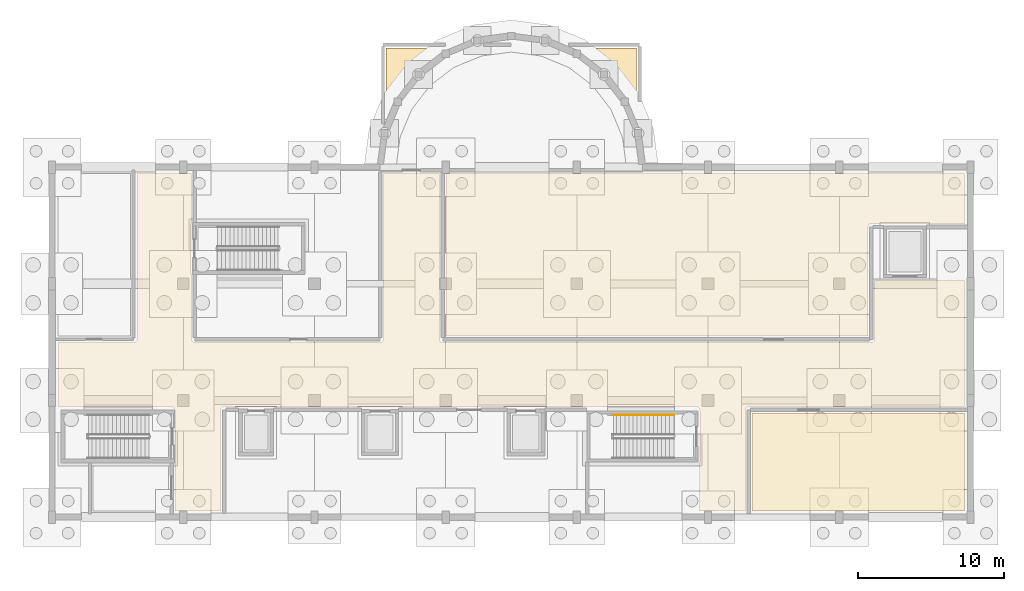
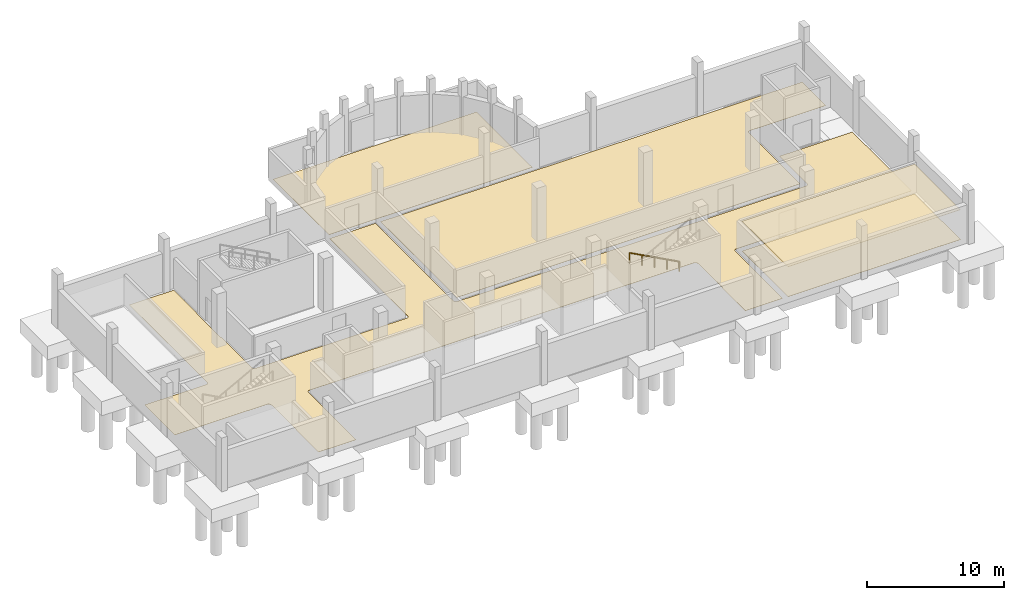
# One storey, part 9 of 10: 5 coverings, 1 railing.
"""IFC4 building model written with IfcOpenShell, lengths in metres."""

import ifcopenshell
import ifcopenshell.guid

model = None  # the IFC model being written
_history = None  # IfcOwnerHistory: only IFC2X3 demands one
_inside = {}  # id of a spatial element -> (the spatial element, [elements in it])
_under = {}  # id of a project, library or spatial element -> (it, [spatial elements below it])
_declared = {}  # id of a project -> (the project, [libraries it declares])
_typed = {}  # id of a type object -> (the type object, [elements of that type])
_made_of = {}  # id of a material, layer set ... -> (it, [elements and type objects made of it])


def new_model(schema):
    """Start an empty IFC model of exactly this schema.

    Asked for "IFC4X3", IfcOpenShell would pick the latest addendum, in which some entities
    have other attributes; the version numbers below select the first issue.
    IFC2X3 requires an IfcOwnerHistory on every rooted entity: one is made here for all.
    """
    global model, _history
    if schema == "IFC4X3":
        model = ifcopenshell.file(schema_version=(4, 3, 0, 0))
    else:
        model = ifcopenshell.file(schema=schema)
    _inside.clear()
    _under.clear()
    _declared.clear()
    _typed.clear()
    _made_of.clear()
    _history = None
    if model.schema == "IFC2X3":
        org = make("IfcOrganization", Name="unknown")
        user = make(
            "IfcPersonAndOrganization",
            ThePerson=make("IfcPerson", FamilyName="unknown"),
            TheOrganization=org,
        )
        app = make(
            "IfcApplication",
            ApplicationDeveloper=org,
            Version="unknown",
            ApplicationFullName="unknown",
            ApplicationIdentifier="unknown",
        )
        _history = make(
            "IfcOwnerHistory",
            OwningUser=user,
            OwningApplication=app,
            ChangeAction="ADDED",
            CreationDate=0,
        )
    return model


def make(cls, **values):
    """One entity of the class cls with the attributes given. An attribute that is None is left unset."""
    return model.create_entity(
        cls, **{name: value for name, value in values.items() if value is not None}
    )


def rooted(cls, **values):
    """An entity with a GlobalId (a new one), such as an element, a storey or a relation."""
    return make(cls, GlobalId=ifcopenshell.guid.new(), OwnerHistory=_history, **values)


def si_unit(unit_type, name, prefix=None):
    """IfcSIUnit, for example si_unit("LENGTHUNIT", "METRE", prefix="MILLI")."""
    return make("IfcSIUnit", UnitType=unit_type, Prefix=prefix, Name=name)


def assignment(units):
    """IfcUnitAssignment: the units of a project."""
    return None if units is None else make("IfcUnitAssignment", Units=units)


def point(xyz):
    """IfcCartesianPoint."""
    return None if xyz is None else make("IfcCartesianPoint", Coordinates=xyz)


def direction(xyz):
    """IfcDirection."""
    return None if xyz is None else make("IfcDirection", DirectionRatios=xyz)


def frame(location, z_axis=None, x_axis=None):
    """IfcAxis2Placement3D, a coordinate frame: its origin and axes. An axis left out is left unset."""
    return make(
        "IfcAxis2Placement3D",
        Location=point(location),
        Axis=direction(z_axis),
        RefDirection=direction(x_axis),
    )


def frame_2d(location, x_axis=None):
    """IfcAxis2Placement2D, a coordinate frame in the plane: its origin and x axis."""
    return make(
        "IfcAxis2Placement2D", Location=point(location), RefDirection=direction(x_axis)
    )


def origin():
    """The frame at (0, 0, 0) with its axes left unset."""
    return frame((0.0, 0.0, 0.0))


def origin_2d():
    """The frame at (0, 0) in the plane with its x axis left unset."""
    return frame_2d((0.0, 0.0))


def place(relative_to, where):
    """IfcLocalPlacement: puts the frame where relative to a parent placement (None: the world)."""
    return make(
        "IfcLocalPlacement", PlacementRelTo=relative_to, RelativePlacement=where
    )


def context(
    kind, dimensions, precision=None, world=None, true_north=None, identifier=None
):
    """IfcGeometricRepresentationContext, for example the 3D "Model" context."""
    return make(
        "IfcGeometricRepresentationContext",
        ContextIdentifier=identifier,
        ContextType=kind,
        CoordinateSpaceDimension=dimensions,
        Precision=precision,
        WorldCoordinateSystem=world,
        TrueNorth=true_north,
    )


def subcontext(parent, identifier, kind, view, scale=None):
    """IfcGeometricRepresentationSubContext, for example "Body" below "Model"."""
    return make(
        "IfcGeometricRepresentationSubContext",
        ContextIdentifier=identifier,
        ContextType=kind,
        ParentContext=parent,
        TargetScale=scale,
        TargetView=view,
    )


def project(units=None, contexts=None):
    """IfcProject with its units and contexts."""
    return rooted(
        "IfcProject",
        Name="project",
        RepresentationContexts=contexts,
        UnitsInContext=assignment(units),
    )


def spatial(cls, under=None, at=None, **own):
    """A site, building, storey or space (cls), placed at a placement, below another one or the project."""
    s = rooted(cls, ObjectPlacement=at, **own)
    if under is not None:
        _under.setdefault(under.id(), (under, []))[1].append(s)
    return s


def polyline(points):
    """IfcPolyline through the points."""
    return make("IfcPolyline", Points=[point(p) for p in points])


def profile(cls, at=None, kind="AREA", **sizes):
    """A parametric profile (cls). Its sizes go by their IFC names, for example OverallWidth=200.0."""
    return make(cls, ProfileType=kind, Position=at, **sizes)


def circle(**sizes):
    """IfcCircleProfileDef."""
    return profile("IfcCircleProfileDef", **sizes)


def outline(outer, holes=None, kind="AREA"):
    """IfcArbitraryClosedProfileDef: a profile drawn as a closed curve; with holes, ...WithVoids."""
    if holes is None:
        return make("IfcArbitraryClosedProfileDef", ProfileType=kind, OuterCurve=outer)
    return make(
        "IfcArbitraryProfileDefWithVoids",
        ProfileType=kind,
        OuterCurve=outer,
        InnerCurves=holes,
    )


def extrude(swept, where, along, depth):
    """IfcExtrudedAreaSolid: the profile swept, set in the frame where, extruded along a direction by depth."""
    return make(
        "IfcExtrudedAreaSolid",
        SweptArea=swept,
        Position=where,
        ExtrudedDirection=direction(along),
        Depth=depth,
    )


def shape(context_of_items, identifier, shape_type, items):
    """IfcShapeRepresentation: the items that make up one representation, for example the "Body"."""
    return make(
        "IfcShapeRepresentation",
        ContextOfItems=context_of_items,
        RepresentationIdentifier=identifier,
        RepresentationType=shape_type,
        Items=items,
    )


def material(Name=None, Category=None):
    """IfcMaterial."""
    return make("IfcMaterial", Name=Name, Category=Category)


def layer(
    of_material, thickness, ventilated=None, Name=None, Category=None, Priority=None
):
    """IfcMaterialLayer: one layer of a wall or slab, of a material (None: an air gap)."""
    return make(
        "IfcMaterialLayer",
        Material=of_material,
        LayerThickness=thickness,
        IsVentilated=ventilated,
        Name=Name,
        Category=Category,
        Priority=Priority,
    )


def layer_set(layers, Name=None):
    """IfcMaterialLayerSet."""
    return make("IfcMaterialLayerSet", MaterialLayers=layers, LayerSetName=Name)


def made_of(thing, what):
    """Note that an element or type object is made of a material, layer set ...; save() writes the relation."""
    if what is not None:
        _made_of.setdefault(what.id(), (what, []))[1].append(thing)
    return thing


def type_object(cls, material=None, **own):
    """A type object (cls), such as IfcWallType, which elements share."""
    return made_of(rooted(cls, **own), material)


def element(
    cls,
    number,
    at=None,
    inside=None,
    cuts=None,
    type_object=None,
    material=None,
    context=None,
    identifier="Body",
    shape_type=None,
    held_by="IfcProductDefinitionShape",
    body=None,
    shapes=None,
    **own,
):
    """One element of the class cls, such as IfcWall. Its Tag is "e" and its number.

    at: its placement. inside: the storey or other place that contains it. cuts: it is an
    opening in that element (IfcRelVoidsElement). A single representation is given by context,
    identifier, shape_type and body (its items); several are given by shapes. held_by: the class
    of the entity that holds the representations. save() writes the other relations.
    """
    e = rooted(cls, Tag="e%d" % number, ObjectPlacement=at, **own)
    if body is not None:
        shapes = [shape(context, identifier, shape_type, body)]
    if shapes is not None:
        e.Representation = make(held_by, Representations=shapes)
    if inside is not None:
        _inside.setdefault(inside.id(), (inside, []))[1].append(e)
    if cuts is not None:
        rooted(
            "IfcRelVoidsElement", RelatingBuildingElement=cuts, RelatedOpeningElement=e
        )
    if type_object is not None:
        _typed.setdefault(type_object.id(), (type_object, []))[1].append(e)
    return made_of(e, material)


def aggregate(whole, parts):
    """IfcRelAggregates: a whole, such as a stair, and the parts it consists of."""
    return rooted("IfcRelAggregates", RelatingObject=whole, RelatedObjects=parts)


def save(model, path):
    """Write the relations noted so far, then the file.

    IfcRelAggregates (storeys below a building ...), IfcRelContainedInSpatialStructure (elements
    in a storey), IfcRelDefinesByType, IfcRelAssociatesMaterial and IfcRelDeclares: one each for
    every whole, place, type object, material and project.
    """
    for whole, parts in _under.values():
        aggregate(whole, parts)
    for where, things in _inside.values():
        rooted(
            "IfcRelContainedInSpatialStructure",
            RelatedElements=things,
            RelatingStructure=where,
        )
    for kind, things in _typed.values():
        rooted("IfcRelDefinesByType", RelatedObjects=things, RelatingType=kind)
    for what, things in _made_of.values():
        rooted("IfcRelAssociatesMaterial", RelatedObjects=things, RelatingMaterial=what)
    for by, libraries in _declared.values():
        rooted("IfcRelDeclares", RelatingContext=by, RelatedDefinitions=libraries)
    model.write(path)


model = new_model("IFC4")

# Units and contexts
model_context = context("Model", 3, precision=1e-05, world=origin(), true_north=direction((0.0, 1.0)))
body_context = subcontext(model_context, "Body", "Model", "MODEL_VIEW")
ifc_project = project(units=[si_unit("LENGTHUNIT", "METRE"), si_unit("AREAUNIT", "SQUARE_METRE"), si_unit("VOLUMEUNIT", "CUBIC_METRE"), si_unit("PLANEANGLEUNIT", "RADIAN"), si_unit("MASSUNIT", "GRAM", prefix="KILO")], contexts=[model_context])

# Site, building, storey
site_placement = place(None, origin())
site = spatial("IfcSite", under=ifc_project, at=site_placement, CompositionType="ELEMENT")
building_placement = place(site_placement, origin())
building = spatial("IfcBuilding", under=site, at=building_placement, Name="Serraforn Aerial Cableway Station", CompositionType="ELEMENT")
storey_placement = place(building_placement, frame((0.0, 0.0, -4.800048828125)))
storey = spatial("IfcBuildingStorey", under=building, at=storey_placement, Name="B1", CompositionType="ELEMENT", Elevation=-4.800048828125)

# Coverings
ifc_material_1 = material(Name="Fire-protective gypsum board ceiling")
ifc_layer_1 = layer(ifc_material_1, 0.02001953125)
ifc_layer_set_1 = layer_set([ifc_layer_1], Name="Fire-protective gypsum board ceiling")
covering_type_1 = type_object("IfcCoveringType", Name="COV-CLG-GYP", PredefinedType="CEILING", material=ifc_layer_set_1)
covering_1_placement = place(storey_placement, frame((0.0, 0.0, 2.66015625)))
element("IfcCovering", 1, at=covering_1_placement, inside=storey, type_object=covering_type_1, Name="Suspended Ceiling B1-04", PredefinedType="CEILING", context=body_context, shape_type="SweptSolid", body=[
    extrude(outline(polyline([(75.6201171875, 18.419921875), (75.6201171875, 25.1298828125), (90.179931640625, 25.1298828125), (90.179931640625, 18.419921875), (75.6201171875, 18.419921875)])), origin(), (0.0, 0.0, 1.0), 0.019775390625),
])
ifc_material_2 = material(Name="Heavy-duty non-slip quartz epoxy floor")
ifc_layer_2 = layer(ifc_material_2, 0.014892578125)
ifc_layer_set_2 = layer_set([ifc_layer_2], Name="Heavy-duty non-slip quartz epoxy floor")
covering_type_2 = type_object("IfcCoveringType", Name="COV-FLR-EPOX", PredefinedType="FLOORING", material=ifc_layer_set_2)
covering_2_placement = place(storey_placement, origin())
element("IfcCovering", 2, at=covering_2_placement, inside=storey, type_object=covering_type_2, Name="Flooring B1-07", PredefinedType="FLOORING", context=body_context, shape_type="SweptSolid", body=[
    extrude(outline(polyline([(36.02001953125, 21.73388671875), (36.02294921875, 21.73779296875), (36.033935546875, 21.75634765625), (36.043212890625, 21.77587890625), (36.050537109375, 21.796142578125), (36.055908203125, 21.817138671875), (36.058837890625, 21.83837890625), (36.06005859375, 21.860107421875), (36.06005859375, 25.199951171875), (36.058837890625, 25.2216796875), (36.055908203125, 25.242919921875), (36.050537109375, 25.263916015625), (36.043212890625, 25.2841796875), (36.033935546875, 25.3037109375), (36.02294921875, 25.322265625), (36.02001953125, 25.326171875), (36.02001953125, 25.35009765625), (36.018798828125, 25.37158203125), (36.015869140625, 25.392822265625), (36.010498046875, 25.413818359375), (36.00341796875, 25.43408203125), (35.993896484375, 25.45361328125), (35.98291015625, 25.47216796875), (35.97021484375, 25.489501953125), (35.95556640625, 25.505615234375), (35.939697265625, 25.52001953125), (35.922119140625, 25.532958984375), (35.90380859375, 25.5439453125), (35.88427734375, 25.55322265625), (35.864013671875, 25.560546875), (35.843017578125, 25.56591796875), (35.821533203125, 25.56884765625), (35.800048828125, 25.570068359375), (28.02001953125, 25.570068359375), (28.02001953125, 29.97998046875), (33.199951171875, 29.97998046875), (33.2216796875, 29.981201171875), (33.242919921875, 29.984130859375), (33.263916015625, 29.989501953125), (33.2841796875, 29.99658203125), (33.3037109375, 30.006103515625), (33.322265625, 30.01708984375), (33.339599609375, 30.02978515625), (33.355712890625, 30.04443359375), (33.3701171875, 30.060302734375), (33.3828125, 30.077880859375), (33.39404296875, 30.09619140625), (33.4033203125, 30.11572265625), (33.410400390625, 30.135986328125), (33.415771484375, 30.156982421875), (33.4189453125, 30.178466796875), (33.419921875, 30.199951171875), (33.419921875, 41.580078125), (37.179931640625, 41.580078125), (37.179931640625, 38.226318359375), (37.177001953125, 38.22216796875), (37.166015625, 38.20361328125), (37.15673828125, 38.18408203125), (37.1494140625, 38.163818359375), (37.144287109375, 38.142822265625), (37.14111328125, 38.12158203125), (37.139892578125, 38.10009765625), (37.139892578125, 34.760009765625), (37.14111328125, 34.73828125), (37.144287109375, 34.717041015625), (37.1494140625, 34.696044921875), (37.15673828125, 34.67578125), (37.166015625, 34.65625), (37.177001953125, 34.6376953125), (37.179931640625, 34.6337890625), (37.179931640625, 30.199951171875), (37.18115234375, 30.178466796875), (37.18408203125, 30.156982421875), (37.189453125, 30.135986328125), (37.19677734375, 30.11572265625), (37.2060546875, 30.09619140625), (37.217041015625, 30.077880859375), (37.22998046875, 30.060302734375), (37.244384765625, 30.04443359375), (37.260498046875, 30.02978515625), (37.27783203125, 30.01708984375), (37.29638671875, 30.006103515625), (37.31591796875, 29.99658203125), (37.336181640625, 29.989501953125), (37.357177734375, 29.984130859375), (37.37841796875, 29.981201171875), (37.39990234375, 29.97998046875), (50.10009765625, 29.97998046875), (50.12158203125, 29.981201171875), (50.142822265625, 29.984130859375), (50.163818359375, 29.989501953125), (50.18408203125, 29.99658203125), (50.20361328125, 30.006103515625), (50.22216796875, 30.01708984375), (50.239501953125, 30.02978515625), (50.255615234375, 30.04443359375), (50.27001953125, 30.060302734375), (50.282958984375, 30.077880859375), (50.2939453125, 30.09619140625), (50.30322265625, 30.11572265625), (50.310546875, 30.135986328125), (50.31591796875, 30.156982421875), (50.31884765625, 30.178466796875), (50.320068359375, 30.199951171875), (50.320068359375, 41.580078125), (54.179931640625, 41.580078125), (54.179931640625, 30.199951171875), (54.18115234375, 30.178466796875), (54.18408203125, 30.156982421875), (54.189453125, 30.135986328125), (54.19677734375, 30.11572265625), (54.2060546875, 30.09619140625), (54.217041015625, 30.077880859375), (54.22998046875, 30.060302734375), (54.244384765625, 30.04443359375), (54.260498046875, 30.02978515625), (54.27783203125, 30.01708984375), (54.29638671875, 30.006103515625), (54.31591796875, 29.99658203125), (54.336181640625, 29.989501953125), (54.357177734375, 29.984130859375), (54.37841796875, 29.981201171875), (54.39990234375, 29.97998046875), (83.800048828125, 29.97998046875), (83.821533203125, 29.981201171875), (83.843017578125, 29.984130859375), (83.864013671875, 29.989501953125), (83.88427734375, 29.99658203125), (83.90380859375, 30.006103515625), (83.922119140625, 30.01708984375), (83.939697265625, 30.02978515625), (83.95556640625, 30.04443359375), (83.97021484375, 30.060302734375), (83.98291015625, 30.077880859375), (83.993896484375, 30.09619140625), (84.00341796875, 30.11572265625), (84.010498046875, 30.135986328125), (84.015869140625, 30.156982421875), (84.018798828125, 30.178466796875), (84.02001953125, 30.199951171875), (84.02001953125, 34.22998046875), (90.179931640625, 34.22998046875), (90.179931640625, 25.570068359375), (75.39990234375, 25.570068359375), (75.37841796875, 25.56884765625), (75.357177734375, 25.56591796875), (75.336181640625, 25.560546875), (75.31591796875, 25.55322265625), (75.29638671875, 25.5439453125), (75.27783203125, 25.532958984375), (75.260498046875, 25.52001953125), (75.244384765625, 25.505615234375), (75.22998046875, 25.489501953125), (75.217041015625, 25.47216796875), (75.2060546875, 25.45361328125), (75.19677734375, 25.43408203125), (75.189453125, 25.413818359375), (75.18408203125, 25.392822265625), (75.18115234375, 25.37158203125), (75.179931640625, 25.35009765625), (75.179931640625, 18.419921875), (72.02001953125, 18.419921875), (72.02001953125, 21.73388671875), (72.02294921875, 21.73779296875), (72.033935546875, 21.75634765625), (72.043212890625, 21.77587890625), (72.050537109375, 21.796142578125), (72.055908203125, 21.817138671875), (72.058837890625, 21.83837890625), (72.06005859375, 21.860107421875), (72.06005859375, 25.199951171875), (72.058837890625, 25.2216796875), (72.055908203125, 25.242919921875), (72.050537109375, 25.263916015625), (72.043212890625, 25.2841796875), (72.033935546875, 25.3037109375), (72.02294921875, 25.322265625), (72.02001953125, 25.326171875), (72.02001953125, 25.35009765625), (72.018798828125, 25.37158203125), (72.015869140625, 25.392822265625), (72.010498046875, 25.413818359375), (72.00341796875, 25.43408203125), (71.993896484375, 25.45361328125), (71.98291015625, 25.47216796875), (71.97021484375, 25.489501953125), (71.95556640625, 25.505615234375), (71.939697265625, 25.52001953125), (71.922119140625, 25.532958984375), (71.90380859375, 25.5439453125), (71.88427734375, 25.55322265625), (71.864013671875, 25.560546875), (71.843017578125, 25.56591796875), (71.821533203125, 25.56884765625), (71.800048828125, 25.570068359375), (39.39990234375, 25.570068359375), (39.37841796875, 25.56884765625), (39.357177734375, 25.56591796875), (39.336181640625, 25.560546875), (39.31591796875, 25.55322265625), (39.29638671875, 25.5439453125), (39.27783203125, 25.532958984375), (39.260498046875, 25.52001953125), (39.244384765625, 25.505615234375), (39.22998046875, 25.489501953125), (39.217041015625, 25.47216796875), (39.2060546875, 25.45361328125), (39.19677734375, 25.43408203125), (39.189453125, 25.413818359375), (39.18408203125, 25.392822265625), (39.18115234375, 25.37158203125), (39.179931640625, 25.35009765625), (39.179931640625, 18.419921875), (36.02001953125, 18.419921875), (36.02001953125, 21.73388671875)])), origin(), (0.0, 0.0, 1.0), 0.01513671875),
])
covering_3_placement = place(storey_placement, origin())
element("IfcCovering", 3, at=covering_3_placement, inside=storey, type_object=covering_type_2, Name="Flooring B1-08", PredefinedType="FLOORING", context=body_context, shape_type="SweptSolid", body=[
    extrude(outline(polyline([(50.52001953125, 42.02001953125), (50.52001953125, 50.179931640625), (67.679931640625, 50.179931640625), (67.679931640625, 42.02001953125), (50.52001953125, 42.02001953125)])), origin(), (0.0, 0.0, 1.0), 0.01513671875),
])
covering_4_placement = place(storey_placement, origin())
element("IfcCovering", 4, at=covering_4_placement, inside=storey, type_object=covering_type_2, Name="Flooring B1-02", PredefinedType="FLOORING", context=body_context, shape_type="SweptSolid", body=[
    extrude(outline(polyline([(54.6201171875, 30.419921875), (54.6201171875, 41.580078125), (90.179931640625, 41.580078125), (90.179931640625, 38.1201171875), (83.800048828125, 38.1201171875), (83.7783203125, 38.118896484375), (83.757080078125, 38.11572265625), (83.736083984375, 38.110595703125), (83.7158203125, 38.103271484375), (83.6962890625, 38.093994140625), (83.677734375, 38.0830078125), (83.660400390625, 38.070068359375), (83.644287109375, 38.0556640625), (83.6298828125, 38.03955078125), (83.6171875, 38.022216796875), (83.60595703125, 38.003662109375), (83.5966796875, 37.984130859375), (83.589599609375, 37.9638671875), (83.584228515625, 37.94287109375), (83.5810546875, 37.921630859375), (83.580078125, 37.89990234375), (83.580078125, 30.419921875), (54.6201171875, 30.419921875)])), origin(), (0.0, 0.0, 1.0), 0.01513671875),
])
covering_5_placement = place(storey_placement, origin())
element("IfcCovering", 5, at=covering_5_placement, inside=storey, type_object=covering_type_2, Name="Flooring B1-04", PredefinedType="FLOORING", context=body_context, shape_type="SweptSolid", body=[
    extrude(outline(polyline([(75.6201171875, 18.419921875), (75.6201171875, 25.1298828125), (90.179931640625, 25.1298828125), (90.179931640625, 18.419921875), (75.6201171875, 18.419921875)])), origin(), (0.0, 0.0, 1.0), 0.01513671875),
])

# Railing
ifc_material_3 = material(Name="Brushed bronze tubular handrail")
ifc_layer_3 = layer(ifc_material_3, 0.048095703125)
ifc_layer_set_3 = layer_set([ifc_layer_3], Name="Brushed bronze tubular handrail")
railing_type = type_object("IfcRailingType", Name="RL-STR-HDR", PredefinedType="HANDRAIL", material=ifc_layer_set_3)
railing_placement = place(storey_placement, frame((70.25, 25.010009765625, 0.150146484375)))
element("IfcRailing", 6, at=railing_placement, inside=storey, type_object=railing_type, Name="B1 ST-05 stair handrail 1", PredefinedType="HANDRAIL", context=body_context, shape_type="SweptSolid", body=[
    extrude(circle(Radius=0.02392578125, at=origin_2d()), frame((0.0, 0.0, 0.8759765625), z_axis=(-0.881477684796, 0.0, 0.472225678258), x_axis=(0.0, -1.0, 0.0)), (0.0, 0.0, 1.0), 4.7646484375),
    extrude(circle(Radius=0.02099609375, at=origin_2d()), origin(), (0.0, 0.0, 1.0), 0.851806640625),
    extrude(circle(Radius=0.02099609375, at=origin_2d()), frame((-1.050048828125, 0.0, 0.5625)), (0.0, 0.0, 1.0), 0.851806640625),
    extrude(circle(Radius=0.02099609375, at=origin_2d()), frame((-2.10009765625, 0.0, 1.125)), (0.0, 0.0, 1.0), 0.851806640625),
    extrude(circle(Radius=0.02099609375, at=origin_2d()), frame((-3.14990234375, 0.0, 1.6875)), (0.0, 0.0, 1.0), 0.851806640625),
    extrude(circle(Radius=0.02099609375, at=origin_2d()), frame((-4.199951171875, 0.0, 2.25)), (0.0, 0.0, 1.0), 0.851806640625),
])

save(model, "model.ifc")
